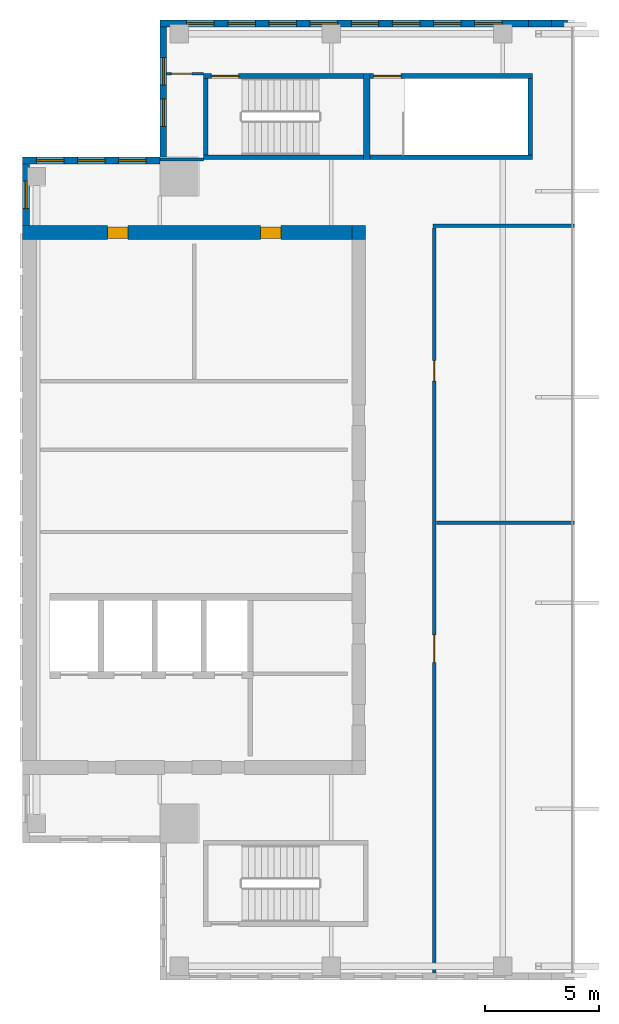
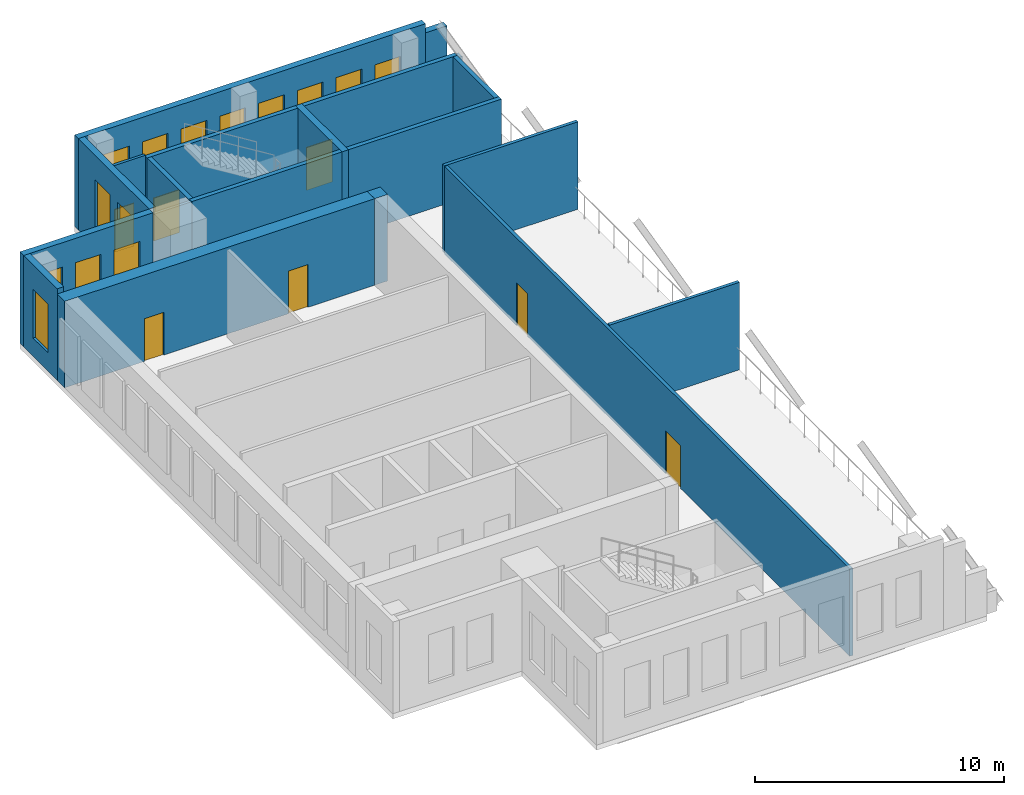
# One storey, part 3 of 5: 20 walls, 14 windows, 7 doors, 21 openings.
"""IFC4 building model written with IfcOpenShell, lengths in metres."""

from ifc_helpers import new_model, si_unit, direction, frame, frame_2d, origin, place, context, subcontext, project, spatial, rectangle, extrude, source, transform, mapped, material, layer, layer_set, type_object, element, fill, save


model = new_model("IFC4")

# Units and contexts
model_context = context("Model", 3, precision=1e-05, world=origin(), true_north=direction((0.0, 1.0)))
body_context = subcontext(model_context, "Body", "Model", "MODEL_VIEW")
ifc_project = project(units=[si_unit("LENGTHUNIT", "METRE"), si_unit("AREAUNIT", "SQUARE_METRE"), si_unit("VOLUMEUNIT", "CUBIC_METRE"), si_unit("PLANEANGLEUNIT", "RADIAN"), si_unit("MASSUNIT", "GRAM", prefix="KILO")], contexts=[model_context])

# Site, building, storey
site_placement = place(None, origin())
site = spatial("IfcSite", under=ifc_project, at=site_placement, CompositionType="ELEMENT")
building_placement = place(site_placement, origin())
building = spatial("IfcBuilding", under=site, at=building_placement, Name="Khomas Fold Tower", CompositionType="ELEMENT")
storey_placement = place(building_placement, frame((0.0, 0.0, 343.699951171875)))
storey = spatial("IfcBuildingStorey", under=building, at=storey_placement, Name="C4", CompositionType="ELEMENT", Elevation=343.699951171875)

# Wall, openings, doors
ifc_material_1 = material(Name="Concrete C50/60", Category="concrete")
ifc_layer_1 = layer(ifc_material_1, 0.60009765625)
ifc_layer_set_1 = layer_set([ifc_layer_1], Name="Concrete C50/60")
wall_type_1 = type_object("IfcWallType", Name="Core wall 600", PredefinedType="SHEAR", material=ifc_layer_set_1)
shared_shape_1 = source(origin(), body_context, "Body", "SweptSolid", [
    extrude(rectangle(XDim=14.39990234375, YDim=0.60009765625, at=frame_2d((7.199951171875, 0.0))), origin(), (0.0, 0.0, 1.0), 4.25),
])
wall_1_placement = place(storey_placement, frame((6.0, 38.699951171875, 0.0), z_axis=(0.0, 0.0, 1.0), x_axis=(1.0, 0.0, 0.0)))
wall_1 = element("IfcWall", 1, at=wall_1_placement, inside=storey, type_object=wall_type_1, Name="Core wall CW-U-N-L63", PredefinedType="SHEAR", context=body_context, shape_type="MappedRepresentation", body=[
    mapped(shared_shape_1, transform((0.0, 0.0, 0.0))),
])
shared_shape_2 = source(origin(), body_context, "Body", "SweptSolid", [
    extrude(rectangle(XDim=0.89990234375, YDim=2.10009765625, at=frame_2d((0.449951171875, 1.050048828125))), frame((0.0, 0.31005859375, 0.0), z_axis=(0.0, -1.0, 0.0), x_axis=(1.0, 0.0, 0.0)), (0.0, 0.0, 1.0), 0.6201171875),
])
opening_1_placement = place(wall_1_placement, frame((3.699951171875, 0.0, 0.0)))
opening_1 = element("IfcOpeningElement", 2, at=opening_1_placement, cuts=wall_1, Name="Opening 0003", PredefinedType="OPENING", context=body_context, shape_type="MappedRepresentation", body=[
    mapped(shared_shape_2, transform((0.0, 0.0, 0.0))),
])
opening_2_placement = place(wall_1_placement, frame((10.39990234375, 0.0, 0.0)))
opening_2 = element("IfcOpeningElement", 3, at=opening_2_placement, cuts=wall_1, Name="Opening 0003", PredefinedType="OPENING", context=body_context, shape_type="MappedRepresentation", body=[
    mapped(shared_shape_2, transform((0.0, 0.0, 0.0))),
])
ifc_material_2 = material(Name="Steel door leaf", Category="steel")
door_type_1 = type_object("IfcDoorType", Name="Plant room door 900x2100 right-hand", OperationType="SINGLE_SWING_RIGHT", PredefinedType="DOOR", material=ifc_material_2)
shared_shape_3 = source(origin(), body_context, "Body", "SweptSolid", [
    extrude(rectangle(XDim=0.89990234375, YDim=2.10009765625, at=frame_2d((0.449951171875, 1.050048828125))), frame((0.0, 0.25, 0.0), z_axis=(0.0, -1.0, 0.0), x_axis=(1.0, 0.0, 0.0)), (0.0, 0.0, 1.0), 0.5),
])
door_1_placement = place(opening_1_placement, origin())
door_1 = element("IfcDoor", 4, at=door_1_placement, inside=storey, type_object=door_type_1, Name="Plant room door", OperationType="SINGLE_SWING_RIGHT", OverallHeight=2.10009765625, OverallWidth=0.89990234375, PredefinedType="DOOR", context=body_context, shape_type="MappedRepresentation", body=[
    mapped(shared_shape_3, transform((0.0, 0.0, 0.0))),
])
fill(opening_1, door_1)
door_2_placement = place(opening_2_placement, origin())
door_2 = element("IfcDoor", 5, at=door_2_placement, inside=storey, type_object=door_type_1, Name="Plant room door", OperationType="SINGLE_SWING_RIGHT", OverallHeight=2.10009765625, OverallWidth=0.89990234375, PredefinedType="DOOR", context=body_context, shape_type="MappedRepresentation", body=[
    mapped(shared_shape_3, transform((0.0, 0.0, 0.0))),
])
fill(opening_2, door_2)

# Wall
ifc_material_3 = material(Name="Concrete C50/60", Category="concrete")
ifc_layer_2 = layer(ifc_material_3, 0.60009765625)
ifc_layer_set_2 = layer_set([ifc_layer_2], Name="Concrete C50/60")
wall_type_2 = type_object("IfcWallType", Name="Core corner wall 600", PredefinedType="SHEAR", material=ifc_layer_set_2)
shared_shape_4 = source(origin(), body_context, "Body", "SweptSolid", [
    extrude(rectangle(XDim=0.60009765625, YDim=0.60009765625, at=frame_2d((0.300048828125, 0.0))), origin(), (0.0, 0.0, 1.0), 4.25),
])
wall_2_placement = place(storey_placement, frame((20.39990234375, 38.699951171875, 0.0), z_axis=(0.0, 0.0, 1.0), x_axis=(1.0, 0.0, 0.0)))
element("IfcWall", 6, at=wall_2_placement, inside=storey, type_object=wall_type_2, Name="Core wall CW-U-NE-L63", PredefinedType="SHEAR", context=body_context, shape_type="MappedRepresentation", body=[
    mapped(shared_shape_4, transform((0.0, 0.0, 0.0))),
])

# Wall, opening, door
ifc_material_4 = material(Name="Concrete C50/60", Category="concrete")
ifc_layer_3 = layer(ifc_material_4, 0.199951171875)
ifc_layer_set_3 = layer_set([ifc_layer_3], Name="Concrete C50/60")
wall_type_3 = type_object("IfcWallType", Name="Stair wall 200", PredefinedType="SHEAR", material=ifc_layer_set_3)
shared_shape_5 = source(origin(), body_context, "Body", "SweptSolid", [
    extrude(rectangle(XDim=7.0, YDim=0.199951171875, at=frame_2d((3.5, 0.0))), origin(), (0.0, 0.0, 1.0), 4.25),
])
wall_3_placement = place(storey_placement, frame((13.89990234375, 45.550048828125, 0.0), z_axis=(0.0, 0.0, 1.0), x_axis=(1.0, 0.0, 0.0)))
wall_3 = element("IfcWall", 7, at=wall_3_placement, inside=storey, type_object=wall_type_3, Name="Stair wall SW-ST1-N", PredefinedType="SHEAR", context=body_context, shape_type="MappedRepresentation", body=[
    mapped(shared_shape_5, transform((0.0, 0.0, 0.0))),
])
shared_shape_6 = source(origin(), body_context, "Body", "SweptSolid", [
    extrude(rectangle(XDim=1.199951171875, YDim=2.10009765625, at=frame_2d((0.60009765625, 1.050048828125))), frame((0.0, 0.10986328125, 0.0), z_axis=(0.0, -1.0, 0.0), x_axis=(1.0, 0.0, 0.0)), (0.0, 0.0, 1.0), 0.219970703125),
])
opening_3_placement = place(wall_3_placement, frame((0.35009765625, 0.0, 0.0)))
opening_3 = element("IfcOpeningElement", 8, at=opening_3_placement, cuts=wall_3, Name="Opening SD-ST1", PredefinedType="OPENING", context=body_context, shape_type="MappedRepresentation", body=[
    mapped(shared_shape_6, transform((0.0, 0.0, 0.0))),
])
ifc_material_5 = material(Name="Steel door leaf", Category="steel")
door_type_2 = type_object("IfcDoorType", Name="Stair door 1200x2100 left-hand", OperationType="SINGLE_SWING_LEFT", PredefinedType="DOOR", material=ifc_material_5)
shared_shape_7 = source(origin(), body_context, "Body", "SweptSolid", [
    extrude(rectangle(XDim=1.199951171875, YDim=2.10009765625, at=frame_2d((0.60009765625, 1.050048828125))), frame((0.0, 0.02490234375, 0.0), z_axis=(0.0, -1.0, 0.0), x_axis=(1.0, 0.0, 0.0)), (0.0, 0.0, 1.0), 0.050048828125),
])
door_3_placement = place(opening_3_placement, origin())
door_3 = element("IfcDoor", 9, at=door_3_placement, inside=storey, type_object=door_type_2, Name="Stair door", OperationType="SINGLE_SWING_LEFT", OverallHeight=2.10009765625, OverallWidth=1.199951171875, PredefinedType="DOOR", context=body_context, shape_type="MappedRepresentation", body=[
    mapped(shared_shape_7, transform((0.0, 0.0, 0.0))),
])
fill(opening_3, door_3)

# Wall
wall_4_placement = place(storey_placement, frame((13.89990234375, 42.0, 0.0), z_axis=(0.0, 0.0, 1.0), x_axis=(1.0, 0.0, 0.0)))
element("IfcWall", 10, at=wall_4_placement, inside=storey, type_object=wall_type_3, Name="Stair wall SW-ST1-S", PredefinedType="SHEAR", context=body_context, shape_type="MappedRepresentation", body=[
    mapped(shared_shape_5, transform((0.0, 0.0, 0.0))),
])

# Wall, opening, door
shared_shape_8 = source(origin(), body_context, "Body", "SweptSolid", [
    extrude(rectangle(XDim=7.10009765625, YDim=0.199951171875, at=frame_2d((3.550048828125, 0.0))), origin(), (0.0, 0.0, 1.0), 4.25),
])
wall_5_placement = place(storey_placement, frame((21.199951171875, 45.550048828125, 0.0), z_axis=(0.0, 0.0, 1.0), x_axis=(1.0, 0.0, 0.0)))
wall_5 = element("IfcWall", 11, at=wall_5_placement, inside=storey, type_object=wall_type_3, Name="Stair wall SW-ST3-N", PredefinedType="SHEAR", context=body_context, shape_type="MappedRepresentation", body=[
    mapped(shared_shape_8, transform((0.0, 0.0, 0.0))),
])
opening_4_placement = place(wall_5_placement, frame((0.14990234375, 0.0, 0.0)))
opening_4 = element("IfcOpeningElement", 12, at=opening_4_placement, cuts=wall_5, Name="Opening SD-ST3", PredefinedType="OPENING", context=body_context, shape_type="MappedRepresentation", body=[
    mapped(shared_shape_6, transform((0.0, 0.0, 0.0))),
])
door_4_placement = place(opening_4_placement, origin())
door_4 = element("IfcDoor", 13, at=door_4_placement, inside=storey, type_object=door_type_2, Name="Stair door", OperationType="SINGLE_SWING_LEFT", OverallHeight=2.10009765625, OverallWidth=1.199951171875, PredefinedType="DOOR", context=body_context, shape_type="MappedRepresentation", body=[
    mapped(shared_shape_7, transform((0.0, 0.0, 0.0))),
])
fill(opening_4, door_4)

# Walls
wall_6_placement = place(storey_placement, frame((21.199951171875, 42.0, 0.0), z_axis=(0.0, 0.0, 1.0), x_axis=(1.0, 0.0, 0.0)))
element("IfcWall", 14, at=wall_6_placement, inside=storey, type_object=wall_type_3, Name="Stair wall SW-ST3-S", PredefinedType="SHEAR", context=body_context, shape_type="MappedRepresentation", body=[
    mapped(shared_shape_8, transform((0.0, 0.0, 0.0))),
])
ifc_material_6 = material(Name="Concrete C50/60", Category="concrete")
ifc_layer_4 = layer(ifc_material_6, 0.300048828125)
ifc_layer_set_4 = layer_set([ifc_layer_4], Name="Concrete C50/60")
wall_type_4 = type_object("IfcWallType", Name="Stair wall 300", PredefinedType="SHEAR", material=ifc_layer_set_4)
shared_shape_9 = source(origin(), body_context, "Body", "SweptSolid", [
    extrude(rectangle(XDim=3.75, YDim=0.300048828125, at=frame_2d((1.875, 0.0))), origin(), (0.0, 0.0, 1.0), 4.25),
])
wall_7_placement = place(storey_placement, frame((21.050048828125, 41.89990234375, 0.0), z_axis=(0.0, 0.0, 1.0), x_axis=(0.0, 1.0, 0.0)))
element("IfcWall", 15, at=wall_7_placement, inside=storey, type_object=wall_type_4, Name="Stair wall SW-ST1-E", PredefinedType="SHEAR", context=body_context, shape_type="MappedRepresentation", body=[
    mapped(shared_shape_9, transform((0.0, 0.0, 0.0))),
])
shared_shape_10 = source(origin(), body_context, "Body", "SweptSolid", [
    extrude(rectangle(XDim=3.349853515625, YDim=0.199951171875, at=frame_2d((1.6748046875, 0.0))), origin(), (0.0, 0.0, 1.0), 4.25),
])
for number, where, z_axis, x_axis, name in (
    (16, (14.0, 42.10009765625, 0.0), (0.0, 0.0, 1.0), (0.0, 1.0, 0.0), "Stair wall SW-ST1-W"),
    (17, (28.199951171875, 42.10009765625, 0.0), (0.0, 0.0, 1.0), (0.0, 1.0, 0.0), "Stair wall SW-ST3-E"),
):
    element("IfcWall", number, at=place(storey_placement, frame(where, z_axis=z_axis, x_axis=x_axis)), inside=storey, type_object=wall_type_3, Name=name, PredefinedType="SHEAR", context=body_context, shape_type="MappedRepresentation", body=[
        mapped(shared_shape_10, transform((0.0, 0.0, 0.0))),
    ])

# Wall, openings, windows
ifc_material_7 = material(Name="Concrete C40/50", Category="concrete")
ifc_layer_5 = layer(ifc_material_7, 0.300048828125)
ifc_layer_set_5 = layer_set([ifc_layer_5], Name="Concrete C40/50")
wall_type_5 = type_object("IfcWallType", Name="Crown gable wall 300 CR-GW1", PredefinedType="SOLIDWALL", material=ifc_layer_set_5)
shared_shape_11 = source(origin(), body_context, "Body", "SweptSolid", [
    extrude(rectangle(XDim=5.699951171875, YDim=0.300048828125, at=frame_2d((2.85009765625, 0.0))), origin(), (0.0, 0.0, 1.0), 4.5),
])
wall_8_placement = place(storey_placement, frame((12.14990234375, 47.699951171875, 0.0), z_axis=(0.0, 0.0, 1.0), x_axis=(0.0, -1.0, 0.0)))
wall_8 = element("IfcWall", 18, at=wall_8_placement, inside=storey, type_object=wall_type_5, Name="Crown wall", PredefinedType="SOLIDWALL", context=body_context, shape_type="MappedRepresentation", body=[
    mapped(shared_shape_11, transform((0.0, 0.0, 0.0))),
])
shared_shape_12 = source(origin(), body_context, "Body", "SweptSolid", [
    extrude(rectangle(XDim=1.199951171875, YDim=2.39990234375, at=frame_2d((0.60009765625, 1.199951171875))), frame((0.0, 0.159912109375, 0.0), z_axis=(0.0, -1.0, 0.0), x_axis=(1.0, 0.0, 0.0)), (0.0, 0.0, 1.0), 0.320068359375),
])
opening_5_placement = place(wall_8_placement, frame((1.35009765625, 0.0, 0.89990234375)))
opening_5 = element("IfcOpeningElement", 19, at=opening_5_placement, cuts=wall_8, Name="Opening CR-LV", PredefinedType="OPENING", context=body_context, shape_type="MappedRepresentation", body=[
    mapped(shared_shape_12, transform((0.0, 0.0, 0.0))),
])
opening_6_placement = place(wall_8_placement, frame((3.14990234375, 0.0, 0.89990234375)))
opening_6 = element("IfcOpeningElement", 20, at=opening_6_placement, cuts=wall_8, Name="Opening CR-LV", PredefinedType="OPENING", context=body_context, shape_type="MappedRepresentation", body=[
    mapped(shared_shape_12, transform((0.0, 0.0, 0.0))),
])
ifc_material_8 = material(Name="Aluminium louvre", Category="aluminium")
window_type = type_object("IfcWindowType", Name="Crown plant louvre 1200 x 2400", PartitioningType="SINGLE_PANEL", PredefinedType="WINDOW", material=ifc_material_8)
shared_shape_13 = source(origin(), body_context, "Body", "SweptSolid", [
    extrude(rectangle(XDim=1.199951171875, YDim=2.39990234375, at=frame_2d((0.60009765625, 1.199951171875))), frame((0.0, 0.030029296875, 0.0), z_axis=(0.0, -1.0, 0.0), x_axis=(1.0, 0.0, 0.0)), (0.0, 0.0, 1.0), 0.06005859375),
])
window_1_placement = place(opening_5_placement, origin())
window_1 = element("IfcWindow", 21, at=window_1_placement, inside=storey, type_object=window_type, Name="Crown plant louvre", OverallHeight=2.39990234375, OverallWidth=1.199951171875, PartitioningType="SINGLE_PANEL", PredefinedType="WINDOW", context=body_context, shape_type="MappedRepresentation", body=[
    mapped(shared_shape_13, transform((0.0, 0.0, 0.0))),
])
fill(opening_5, window_1)
window_2_placement = place(opening_6_placement, origin())
window_2 = element("IfcWindow", 22, at=window_2_placement, inside=storey, type_object=window_type, Name="Crown plant louvre", OverallHeight=2.39990234375, OverallWidth=1.199951171875, PartitioningType="SINGLE_PANEL", PredefinedType="WINDOW", context=body_context, shape_type="MappedRepresentation", body=[
    mapped(shared_shape_13, transform((0.0, 0.0, 0.0))),
])
fill(opening_6, window_2)

shared_shape_14 = source(origin(), body_context, "Body", "SweptSolid", [
    extrude(rectangle(XDim=6.0, YDim=0.300048828125, at=frame_2d((3.0, 0.0))), origin(), (0.0, 0.0, 1.0), 4.5),
])
wall_9_placement = place(storey_placement, frame((12.0, 41.85009765625, 0.0), z_axis=(0.0, 0.0, 1.0), x_axis=(-1.0, 0.0, 0.0)))
wall_9 = element("IfcWall", 23, at=wall_9_placement, inside=storey, type_object=wall_type_5, Name="Crown wall", PredefinedType="SOLIDWALL", context=body_context, shape_type="MappedRepresentation", body=[
    mapped(shared_shape_14, transform((0.0, 0.0, 0.0))),
])
opening_7_placement = place(wall_9_placement, frame((0.60009765625, 0.0, 0.89990234375)))
opening_7 = element("IfcOpeningElement", 24, at=opening_7_placement, cuts=wall_9, Name="Opening CR-LV", PredefinedType="OPENING", context=body_context, shape_type="MappedRepresentation", body=[
    mapped(shared_shape_12, transform((0.0, 0.0, 0.0))),
])
opening_8_placement = place(wall_9_placement, frame((2.39990234375, 0.0, 0.89990234375)))
opening_8 = element("IfcOpeningElement", 25, at=opening_8_placement, cuts=wall_9, Name="Opening CR-LV", PredefinedType="OPENING", context=body_context, shape_type="MappedRepresentation", body=[
    mapped(shared_shape_12, transform((0.0, 0.0, 0.0))),
])
opening_9_placement = place(wall_9_placement, frame((4.199951171875, 0.0, 0.89990234375)))
opening_9 = element("IfcOpeningElement", 26, at=opening_9_placement, cuts=wall_9, Name="Opening CR-LV", PredefinedType="OPENING", context=body_context, shape_type="MappedRepresentation", body=[
    mapped(shared_shape_12, transform((0.0, 0.0, 0.0))),
])
window_3_placement = place(opening_7_placement, origin())
window_3 = element("IfcWindow", 27, at=window_3_placement, inside=storey, type_object=window_type, Name="Crown plant louvre", OverallHeight=2.39990234375, OverallWidth=1.199951171875, PartitioningType="SINGLE_PANEL", PredefinedType="WINDOW", context=body_context, shape_type="MappedRepresentation", body=[
    mapped(shared_shape_13, transform((0.0, 0.0, 0.0))),
])
fill(opening_7, window_3)
window_4_placement = place(opening_8_placement, origin())
window_4 = element("IfcWindow", 28, at=window_4_placement, inside=storey, type_object=window_type, Name="Crown plant louvre", OverallHeight=2.39990234375, OverallWidth=1.199951171875, PartitioningType="SINGLE_PANEL", PredefinedType="WINDOW", context=body_context, shape_type="MappedRepresentation", body=[
    mapped(shared_shape_13, transform((0.0, 0.0, 0.0))),
])
fill(opening_8, window_4)
window_5_placement = place(opening_9_placement, origin())
window_5 = element("IfcWindow", 29, at=window_5_placement, inside=storey, type_object=window_type, Name="Crown plant louvre", OverallHeight=2.39990234375, OverallWidth=1.199951171875, PartitioningType="SINGLE_PANEL", PredefinedType="WINDOW", context=body_context, shape_type="MappedRepresentation", body=[
    mapped(shared_shape_13, transform((0.0, 0.0, 0.0))),
])
fill(opening_9, window_5)

# Wall, opening, window
shared_shape_15 = source(origin(), body_context, "Body", "SweptSolid", [
    extrude(rectangle(XDim=2.699951171875, YDim=0.300048828125, at=frame_2d((1.35009765625, 0.0))), origin(), (0.0, 0.0, 1.0), 4.5),
])
wall_10_placement = place(storey_placement, frame((6.14990234375, 41.699951171875, 0.0), z_axis=(0.0, 0.0, 1.0), x_axis=(0.0, -1.0, 0.0)))
wall_10 = element("IfcWall", 30, at=wall_10_placement, inside=storey, type_object=wall_type_5, Name="Crown wall", PredefinedType="SOLIDWALL", context=body_context, shape_type="MappedRepresentation", body=[
    mapped(shared_shape_15, transform((0.0, 0.0, 0.0))),
])
opening_10_placement = place(wall_10_placement, frame((0.75, 0.0, 0.89990234375)))
opening_10 = element("IfcOpeningElement", 31, at=opening_10_placement, cuts=wall_10, Name="Opening CR-LV", PredefinedType="OPENING", context=body_context, shape_type="MappedRepresentation", body=[
    mapped(shared_shape_12, transform((0.0, 0.0, 0.0))),
])
window_6_placement = place(opening_10_placement, origin())
window_6 = element("IfcWindow", 32, at=window_6_placement, inside=storey, type_object=window_type, Name="Crown plant louvre", OverallHeight=2.39990234375, OverallWidth=1.199951171875, PartitioningType="SINGLE_PANEL", PredefinedType="WINDOW", context=body_context, shape_type="MappedRepresentation", body=[
    mapped(shared_shape_13, transform((0.0, 0.0, 0.0))),
])
fill(opening_10, window_6)

# Walls
ifc_material_9 = material(Name="Concrete C40/50", Category="concrete")
ifc_layer_6 = layer(ifc_material_9, 0.300048828125)
ifc_layer_set_6 = layer_set([ifc_layer_6], Name="Concrete C40/50")
wall_type_6 = type_object("IfcWallType", Name="Crown gable wall 300 CR-GW2", PredefinedType="SOLIDWALL", material=ifc_layer_set_6)
shared_shape_16 = source(origin(), body_context, "Body", "SweptSolid", [
    extrude(rectangle(XDim=1.0078125, YDim=0.300048828125, at=frame_2d((0.50390625, 0.0))), origin(), (0.0, 0.0, 1.0), 4.050048828125),
])
wall_11_placement = place(storey_placement, frame((29.130615234375, 47.85009765625, 0.0), z_axis=(0.0, 0.0, 1.0), x_axis=(-1.0, 0.0, 0.0)))
element("IfcWall", 33, at=wall_11_placement, inside=storey, type_object=wall_type_6, Name="Crown wall", PredefinedType="SOLIDWALL", context=body_context, shape_type="MappedRepresentation", body=[
    mapped(shared_shape_16, transform((0.0, 0.0, 0.0))),
])
ifc_material_10 = material(Name="Concrete C40/50", Category="concrete")
ifc_layer_7 = layer(ifc_material_10, 0.300048828125)
ifc_layer_set_7 = layer_set([ifc_layer_7], Name="Concrete C40/50")
wall_type_7 = type_object("IfcWallType", Name="Crown gable wall 300 CR-GW3", PredefinedType="SOLIDWALL", material=ifc_layer_set_7)
shared_shape_17 = source(origin(), body_context, "Body", "SweptSolid", [
    extrude(rectangle(XDim=0.70751953125, YDim=0.300048828125, at=frame_2d((0.353759765625, 0.0))), origin(), (0.0, 0.0, 1.0), 2.300048828125),
])
wall_12_placement = place(storey_placement, frame((29.838134765625, 47.85009765625, 0.0), z_axis=(0.0, 0.0, 1.0), x_axis=(-1.0, 0.0, 0.0)))
element("IfcWall", 34, at=wall_12_placement, inside=storey, type_object=wall_type_7, Name="Crown wall", PredefinedType="SOLIDWALL", context=body_context, shape_type="MappedRepresentation", body=[
    mapped(shared_shape_17, transform((0.0, 0.0, 0.0))),
])

# Wall, openings, windows
shared_shape_18 = source(origin(), body_context, "Body", "SweptSolid", [
    extrude(rectangle(XDim=16.122802734375, YDim=0.300048828125, at=frame_2d((8.0615234375, 0.0))), origin(), (0.0, 0.0, 1.0), 4.5),
])
wall_13_placement = place(storey_placement, frame((28.122802734375, 47.85009765625, 0.0), z_axis=(0.0, 0.0, 1.0), x_axis=(-1.0, 0.0, 0.0)))
wall_13 = element("IfcWall", 35, at=wall_13_placement, inside=storey, type_object=wall_type_5, Name="Crown wall", PredefinedType="SOLIDWALL", context=body_context, shape_type="MappedRepresentation", body=[
    mapped(shared_shape_18, transform((0.0, 0.0, 0.0))),
])
opening_11_placement = place(wall_13_placement, frame((1.14990234375, 0.0, 0.89990234375)))
opening_11 = element("IfcOpeningElement", 36, at=opening_11_placement, cuts=wall_13, Name="Opening CR-LV", PredefinedType="OPENING", context=body_context, shape_type="MappedRepresentation", body=[
    mapped(shared_shape_12, transform((0.0, 0.0, 0.0))),
])
opening_12_placement = place(wall_13_placement, frame((2.949951171875, 0.0, 0.89990234375)))
opening_12 = element("IfcOpeningElement", 37, at=opening_12_placement, cuts=wall_13, Name="Opening CR-LV", PredefinedType="OPENING", context=body_context, shape_type="MappedRepresentation", body=[
    mapped(shared_shape_12, transform((0.0, 0.0, 0.0))),
])
opening_13_placement = place(wall_13_placement, frame((4.75, 0.0, 0.89990234375)))
opening_13 = element("IfcOpeningElement", 38, at=opening_13_placement, cuts=wall_13, Name="Opening CR-LV", PredefinedType="OPENING", context=body_context, shape_type="MappedRepresentation", body=[
    mapped(shared_shape_12, transform((0.0, 0.0, 0.0))),
])
opening_14_placement = place(wall_13_placement, frame((6.550048828125, 0.0, 0.89990234375)))
opening_14 = element("IfcOpeningElement", 39, at=opening_14_placement, cuts=wall_13, Name="Opening CR-LV", PredefinedType="OPENING", context=body_context, shape_type="MappedRepresentation", body=[
    mapped(shared_shape_12, transform((0.0, 0.0, 0.0))),
])
opening_15_placement = place(wall_13_placement, frame((8.35009765625, 0.0, 0.89990234375)))
opening_15 = element("IfcOpeningElement", 40, at=opening_15_placement, cuts=wall_13, Name="Opening CR-LV", PredefinedType="OPENING", context=body_context, shape_type="MappedRepresentation", body=[
    mapped(shared_shape_12, transform((0.0, 0.0, 0.0))),
])
opening_16_placement = place(wall_13_placement, frame((10.14990234375, 0.0, 0.89990234375)))
opening_16 = element("IfcOpeningElement", 41, at=opening_16_placement, cuts=wall_13, Name="Opening CR-LV", PredefinedType="OPENING", context=body_context, shape_type="MappedRepresentation", body=[
    mapped(shared_shape_12, transform((0.0, 0.0, 0.0))),
])
opening_17_placement = place(wall_13_placement, frame((11.949951171875, 0.0, 0.89990234375)))
opening_17 = element("IfcOpeningElement", 42, at=opening_17_placement, cuts=wall_13, Name="Opening CR-LV", PredefinedType="OPENING", context=body_context, shape_type="MappedRepresentation", body=[
    mapped(shared_shape_12, transform((0.0, 0.0, 0.0))),
])
opening_18_placement = place(wall_13_placement, frame((13.75, 0.0, 0.89990234375)))
opening_18 = element("IfcOpeningElement", 43, at=opening_18_placement, cuts=wall_13, Name="Opening CR-LV", PredefinedType="OPENING", context=body_context, shape_type="MappedRepresentation", body=[
    mapped(shared_shape_12, transform((0.0, 0.0, 0.0))),
])
window_7_placement = place(opening_11_placement, origin())
window_7 = element("IfcWindow", 44, at=window_7_placement, inside=storey, type_object=window_type, Name="Crown plant louvre", OverallHeight=2.39990234375, OverallWidth=1.199951171875, PartitioningType="SINGLE_PANEL", PredefinedType="WINDOW", context=body_context, shape_type="MappedRepresentation", body=[
    mapped(shared_shape_13, transform((0.0, 0.0, 0.0))),
])
fill(opening_11, window_7)
window_8_placement = place(opening_12_placement, origin())
window_8 = element("IfcWindow", 45, at=window_8_placement, inside=storey, type_object=window_type, Name="Crown plant louvre", OverallHeight=2.39990234375, OverallWidth=1.199951171875, PartitioningType="SINGLE_PANEL", PredefinedType="WINDOW", context=body_context, shape_type="MappedRepresentation", body=[
    mapped(shared_shape_13, transform((0.0, 0.0, 0.0))),
])
fill(opening_12, window_8)
window_9_placement = place(opening_13_placement, origin())
window_9 = element("IfcWindow", 46, at=window_9_placement, inside=storey, type_object=window_type, Name="Crown plant louvre", OverallHeight=2.39990234375, OverallWidth=1.199951171875, PartitioningType="SINGLE_PANEL", PredefinedType="WINDOW", context=body_context, shape_type="MappedRepresentation", body=[
    mapped(shared_shape_13, transform((0.0, 0.0, 0.0))),
])
fill(opening_13, window_9)
window_10_placement = place(opening_14_placement, origin())
window_10 = element("IfcWindow", 47, at=window_10_placement, inside=storey, type_object=window_type, Name="Crown plant louvre", OverallHeight=2.39990234375, OverallWidth=1.199951171875, PartitioningType="SINGLE_PANEL", PredefinedType="WINDOW", context=body_context, shape_type="MappedRepresentation", body=[
    mapped(shared_shape_13, transform((0.0, 0.0, 0.0))),
])
fill(opening_14, window_10)
window_11_placement = place(opening_15_placement, origin())
window_11 = element("IfcWindow", 48, at=window_11_placement, inside=storey, type_object=window_type, Name="Crown plant louvre", OverallHeight=2.39990234375, OverallWidth=1.199951171875, PartitioningType="SINGLE_PANEL", PredefinedType="WINDOW", context=body_context, shape_type="MappedRepresentation", body=[
    mapped(shared_shape_13, transform((0.0, 0.0, 0.0))),
])
fill(opening_15, window_11)
window_12_placement = place(opening_16_placement, origin())
window_12 = element("IfcWindow", 49, at=window_12_placement, inside=storey, type_object=window_type, Name="Crown plant louvre", OverallHeight=2.39990234375, OverallWidth=1.199951171875, PartitioningType="SINGLE_PANEL", PredefinedType="WINDOW", context=body_context, shape_type="MappedRepresentation", body=[
    mapped(shared_shape_13, transform((0.0, 0.0, 0.0))),
])
fill(opening_16, window_12)
window_13_placement = place(opening_17_placement, origin())
window_13 = element("IfcWindow", 50, at=window_13_placement, inside=storey, type_object=window_type, Name="Crown plant louvre", OverallHeight=2.39990234375, OverallWidth=1.199951171875, PartitioningType="SINGLE_PANEL", PredefinedType="WINDOW", context=body_context, shape_type="MappedRepresentation", body=[
    mapped(shared_shape_13, transform((0.0, 0.0, 0.0))),
])
fill(opening_17, window_13)
window_14_placement = place(opening_18_placement, origin())
window_14 = element("IfcWindow", 51, at=window_14_placement, inside=storey, type_object=window_type, Name="Crown plant louvre", OverallHeight=2.39990234375, OverallWidth=1.199951171875, PartitioningType="SINGLE_PANEL", PredefinedType="WINDOW", context=body_context, shape_type="MappedRepresentation", body=[
    mapped(shared_shape_13, transform((0.0, 0.0, 0.0))),
])
fill(opening_18, window_14)

# Wall, openings, doors
ifc_material_11 = material(Name="Plasterboard fire partition")
ifc_layer_8 = layer(ifc_material_11, 0.14990234375)
ifc_layer_set_8 = layer_set([ifc_layer_8], Name="Plasterboard fire partition")
wall_type_8 = type_object("IfcWallType", Name="Plant room wall PW3 150", PredefinedType="PARTITIONING", material=ifc_layer_set_8)
shared_shape_19 = source(origin(), body_context, "Body", "SweptSolid", [
    extrude(rectangle(XDim=32.599853515625, YDim=0.14990234375, at=frame_2d((16.2998046875, 0.0))), origin(), (0.0, 0.0, 1.0), 4.300048828125),
])
wall_14_placement = place(storey_placement, frame((24.0, 6.300048828125, 0.0), z_axis=(0.0, 0.0, 1.0), x_axis=(0.0, 1.0, 0.0)))
wall_14 = element("IfcWall", 52, at=wall_14_placement, inside=storey, type_object=wall_type_8, Name="Plant room wall", PredefinedType="PARTITIONING", context=body_context, shape_type="MappedRepresentation", body=[
    mapped(shared_shape_19, transform((0.0, 0.0, 0.0))),
])
shared_shape_20 = source(origin(), body_context, "Body", "SweptSolid", [
    extrude(rectangle(XDim=1.199951171875, YDim=2.10009765625, at=frame_2d((0.60009765625, 1.050048828125))), frame((0.0, 0.0849609375, 0.0), z_axis=(0.0, -1.0, 0.0), x_axis=(1.0, 0.0, 0.0)), (0.0, 0.0, 1.0), 0.169921875),
])
opening_19_placement = place(wall_14_placement, frame((13.60009765625, 0.0, 0.0)))
opening_19 = element("IfcOpeningElement", 53, at=opening_19_placement, cuts=wall_14, Name="Opening 0011", PredefinedType="OPENING", context=body_context, shape_type="MappedRepresentation", body=[
    mapped(shared_shape_20, transform((0.0, 0.0, 0.0))),
])
shared_shape_21 = source(origin(), body_context, "Body", "SweptSolid", [
    extrude(rectangle(XDim=0.89990234375, YDim=2.10009765625, at=frame_2d((0.449951171875, 1.050048828125))), frame((0.0, 0.0849609375, 0.0), z_axis=(0.0, -1.0, 0.0), x_axis=(1.0, 0.0, 0.0)), (0.0, 0.0, 1.0), 0.169921875),
])
opening_20_placement = place(wall_14_placement, frame((25.89990234375, 0.0, 0.0)))
opening_20 = element("IfcOpeningElement", 54, at=opening_20_placement, cuts=wall_14, Name="Opening 0003", PredefinedType="OPENING", context=body_context, shape_type="MappedRepresentation", body=[
    mapped(shared_shape_21, transform((0.0, 0.0, 0.0))),
])
shared_shape_22 = source(origin(), body_context, "Body", "SweptSolid", [
    extrude(rectangle(XDim=0.89990234375, YDim=2.10009765625, at=frame_2d((0.449951171875, 1.050048828125))), frame((0.0, 0.02490234375, 0.0), z_axis=(0.0, -1.0, 0.0), x_axis=(1.0, 0.0, 0.0)), (0.0, 0.0, 1.0), 0.050048828125),
])
door_5_placement = place(opening_20_placement, origin())
door_5 = element("IfcDoor", 55, at=door_5_placement, inside=storey, type_object=door_type_1, Name="Plant room door", OperationType="SINGLE_SWING_RIGHT", OverallHeight=2.10009765625, OverallWidth=0.89990234375, PredefinedType="DOOR", context=body_context, shape_type="MappedRepresentation", body=[
    mapped(shared_shape_22, transform((0.0, 0.0, 0.0))),
])
fill(opening_20, door_5)
ifc_material_12 = material(Name="Steel door leaf", Category="steel")
door_type_3 = type_object("IfcDoorType", Name="Plant room door 1200x2100 right-hand", OperationType="SINGLE_SWING_RIGHT", PredefinedType="DOOR", material=ifc_material_12)
door_6_placement = place(opening_19_placement, origin())
door_6 = element("IfcDoor", 56, at=door_6_placement, inside=storey, type_object=door_type_3, Name="Plant room door", OperationType="SINGLE_SWING_RIGHT", OverallHeight=2.10009765625, OverallWidth=1.199951171875, PredefinedType="DOOR", context=body_context, shape_type="MappedRepresentation", body=[
    mapped(shared_shape_7, transform((0.0, 0.0, 0.0))),
])
fill(opening_19, door_6)

# Wall
ifc_material_13 = material(Name="Plasterboard partition")
ifc_layer_9 = layer(ifc_material_13, 0.125)
ifc_layer_set_9 = layer_set([ifc_layer_9], Name="Plasterboard partition")
wall_type_9 = type_object("IfcWallType", Name="Partition PW2 125", PredefinedType="PARTITIONING", material=ifc_layer_set_9)
shared_shape_23 = source(origin(), body_context, "Body", "SweptSolid", [
    extrude(rectangle(XDim=1.89990234375, YDim=0.125, at=frame_2d((0.949951171875, 0.0))), origin(), (0.0, 0.0, 1.0), 4.300048828125),
])
wall_15_placement = place(storey_placement, frame((12.0, 41.89990234375, 0.0), z_axis=(0.0, 0.0, 1.0), x_axis=(1.0, 0.0, 0.0)))
element("IfcWall", 57, at=wall_15_placement, inside=storey, type_object=wall_type_9, Name="Partition", PredefinedType="PARTITIONING", context=body_context, shape_type="MappedRepresentation", body=[
    mapped(shared_shape_23, transform((0.0, 0.0, 0.0))),
])

# Wall, opening, door
shared_shape_24 = source(origin(), body_context, "Body", "SweptSolid", [
    extrude(rectangle(XDim=1.599853515625, YDim=0.125, at=frame_2d((0.7998046875, 0.0))), origin(), (0.0, 0.0, 1.0), 4.300048828125),
])
wall_16_placement = place(storey_placement, frame((12.300048828125, 45.64990234375, 0.0), z_axis=(0.0, 0.0, 1.0), x_axis=(1.0, 0.0, 0.0)))
wall_16 = element("IfcWall", 58, at=wall_16_placement, inside=storey, type_object=wall_type_9, Name="Partition", PredefinedType="PARTITIONING", context=body_context, shape_type="MappedRepresentation", body=[
    mapped(shared_shape_24, transform((0.0, 0.0, 0.0))),
])
shared_shape_25 = source(origin(), body_context, "Body", "SweptSolid", [
    extrude(rectangle(XDim=0.89990234375, YDim=2.10009765625, at=frame_2d((0.449951171875, 1.050048828125))), frame((0.0, 0.072509765625, 0.0), z_axis=(0.0, -1.0, 0.0), x_axis=(1.0, 0.0, 0.0)), (0.0, 0.0, 1.0), 0.14501953125),
])
opening_21_placement = place(wall_16_placement, frame((0.199951171875, 0.0, 0.0)))
opening_21 = element("IfcOpeningElement", 59, at=opening_21_placement, cuts=wall_16, Name="Opening 0007", PredefinedType="OPENING", context=body_context, shape_type="MappedRepresentation", body=[
    mapped(shared_shape_25, transform((0.0, 0.0, 0.0))),
])
ifc_material_14 = material(Name="Timber door leaf", Category="wood")
door_type_4 = type_object("IfcDoorType", Name="Door 900x2100 left-hand", OperationType="SINGLE_SWING_LEFT", PredefinedType="DOOR", material=ifc_material_14)
door_7_placement = place(opening_21_placement, origin())
door_7 = element("IfcDoor", 60, at=door_7_placement, inside=storey, type_object=door_type_4, Name="Door", OperationType="SINGLE_SWING_LEFT", OverallHeight=2.10009765625, OverallWidth=0.89990234375, PredefinedType="DOOR", context=body_context, shape_type="MappedRepresentation", body=[
    mapped(shared_shape_22, transform((0.0, 0.0, 0.0))),
])
fill(opening_21, door_7)

# Walls
shared_shape_26 = source(origin(), body_context, "Body", "SweptSolid", [
    extrude(rectangle(XDim=6.0498046875, YDim=0.14990234375, at=frame_2d((3.02490234375, 0.0))), origin(), (0.0, 0.0, 1.0), 4.300048828125),
])
wall_17_placement = place(storey_placement, frame((24.10009765625, 26.0, 0.0), z_axis=(0.0, 0.0, 1.0), x_axis=(1.0, 0.0, 0.0)))
element("IfcWall", 61, at=wall_17_placement, inside=storey, type_object=wall_type_8, Name="Plant room wall", PredefinedType="PARTITIONING", context=body_context, shape_type="MappedRepresentation", body=[
    mapped(shared_shape_26, transform((0.0, 0.0, 0.0))),
])
shared_shape_27 = source(origin(), body_context, "Body", "SweptSolid", [
    extrude(rectangle(XDim=6.199951171875, YDim=0.14990234375, at=frame_2d((3.10009765625, 0.0))), origin(), (0.0, 0.0, 1.0), 4.300048828125),
])
wall_18_placement = place(storey_placement, frame((23.949951171875, 39.0, 0.0), z_axis=(0.0, 0.0, 1.0), x_axis=(1.0, 0.0, 0.0)))
element("IfcWall", 62, at=wall_18_placement, inside=storey, type_object=wall_type_8, Name="Plant room wall", PredefinedType="PARTITIONING", context=body_context, shape_type="MappedRepresentation", body=[
    mapped(shared_shape_27, transform((0.0, 0.0, 0.0))),
])

save(model, "model.ifc")
